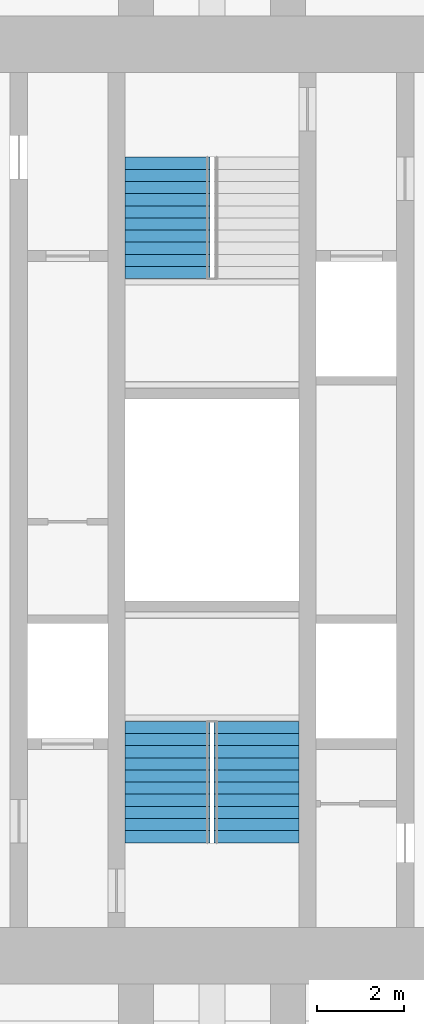
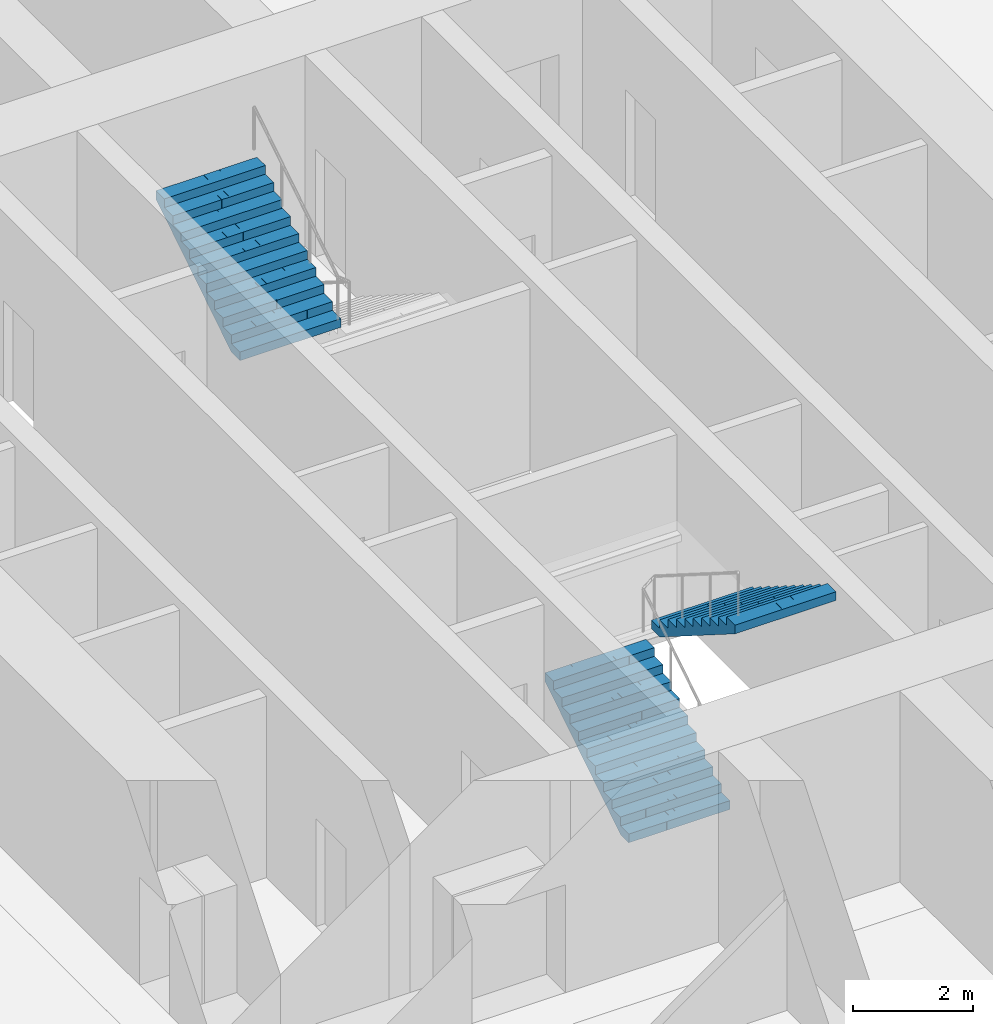
# One storey, part 20 of 22: 3 stair flights, 2 elements without a shape of their own.
"""IFC4 building model written with IfcOpenShell, lengths in metres."""

from ifc_helpers import new_model, si_unit, direction, frame, origin, place, context, subcontext, project, spatial, polyline, outline, extrude, material, type_object, element, aggregate, save


model = new_model("IFC4")

# Units and contexts
model_context = context("Model", 3, precision=1e-05, world=origin(), true_north=direction((0.0, 1.0)))
body_context = subcontext(model_context, "Body", "Model", "MODEL_VIEW")
ifc_project = project(units=[si_unit("LENGTHUNIT", "METRE"), si_unit("AREAUNIT", "SQUARE_METRE"), si_unit("VOLUMEUNIT", "CUBIC_METRE"), si_unit("PLANEANGLEUNIT", "RADIAN"), si_unit("MASSUNIT", "GRAM", prefix="KILO")], contexts=[model_context])

# Site, building, storey
site_placement = place(None, origin())
site = spatial("IfcSite", under=ifc_project, at=site_placement, CompositionType="ELEMENT")
building_placement = place(site_placement, origin())
building = spatial("IfcBuilding", under=site, at=building_placement, Name="Mizan Broadcast Tower", CompositionType="ELEMENT")
storey_placement = place(building_placement, frame((0.0, 0.0, 98.10009765625)))
storey = spatial("IfcBuildingStorey", under=building, at=storey_placement, Name="L21", CompositionType="ELEMENT", Elevation=98.10009765625)

# Stair, stair flights
ifc_material_1 = material(Name="Concrete C40/50", Category="concrete")
stair_type = type_object("IfcStairType", Name="EXIT STAIR", PredefinedType="HALF_TURN_STAIR", material=ifc_material_1)
stair_1_placement = place(storey_placement, origin())
stair_1 = element("IfcStair", 1, at=stair_1_placement, inside=storey, type_object=stair_type, Name="Stair A L21", PredefinedType="HALF_TURN_STAIR")
ifc_material_2 = material(Name="Concrete C40/50", Category="concrete")
stair_flight_type = type_object("IfcStairFlightType", Name="EXIT STAIR FLIGHT", PredefinedType="STRAIGHT", material=ifc_material_2)
stair_flight_1_placement = place(storey_placement, frame((-1.02490234375, -7.89990234375, 0.0), z_axis=(0.0, 0.0, 1.0), x_axis=(0.0, 1.0, 0.0)))
stair_flight_1 = element("IfcStairFlight", 2, at=stair_flight_1_placement, type_object=stair_flight_type, Name="A flight 1", NumberOfRisers=11, NumberOfTreads=10, PredefinedType="STRAIGHT", RiserHeight=0.177272727, TreadLength=0.28, context=body_context, shape_type="SweptSolid", body=[
    extrude(outline(polyline([(0.0, 0.0), (0.0, 0.17724609375), (0.280029296875, 0.17724609375), (0.280029296875, 0.3544921875), (0.56005859375, 0.3544921875), (0.56005859375, 0.53173828125), (0.840087890625, 0.53173828125), (0.840087890625, 0.708984375), (1.1201171875, 0.708984375), (1.1201171875, 0.886474609375), (1.39990234375, 0.886474609375), (1.39990234375, 1.063720703125), (1.679931640625, 1.063720703125), (1.679931640625, 1.240966796875), (1.9599609375, 1.240966796875), (1.9599609375, 1.418212890625), (2.239990234375, 1.418212890625), (2.239990234375, 1.595458984375), (2.52001953125, 1.595458984375), (2.52001953125, 1.772705078125), (2.800048828125, 1.772705078125), (2.800048828125, 1.949951171875), (2.800048828125, 1.59521484375), (0.2802734375, 0.0), (0.0, 0.0)])), frame((0.0, 0.97509765625, 0.0), z_axis=(0.0, -1.0, 0.0), x_axis=(1.0, 0.0, 0.0)), (0.0, 0.0, 1.0), 0.4873046875),
    extrude(outline(polyline([(0.0, 0.0), (0.0, 0.17724609375), (0.280029296875, 0.17724609375), (0.280029296875, 0.3544921875), (0.56005859375, 0.3544921875), (0.56005859375, 0.53173828125), (0.840087890625, 0.53173828125), (0.840087890625, 0.708984375), (1.1201171875, 0.708984375), (1.1201171875, 0.886474609375), (1.39990234375, 0.886474609375), (1.39990234375, 1.063720703125), (1.679931640625, 1.063720703125), (1.679931640625, 1.240966796875), (1.9599609375, 1.240966796875), (1.9599609375, 1.418212890625), (2.239990234375, 1.418212890625), (2.239990234375, 1.595458984375), (2.52001953125, 1.595458984375), (2.52001953125, 1.772705078125), (2.800048828125, 1.772705078125), (2.800048828125, 1.949951171875), (2.800048828125, 1.59521484375), (0.2802734375, 0.0), (0.0, 0.0)])), frame((0.0, 0.4873046875, 0.0), z_axis=(0.0, -1.0, 0.0), x_axis=(1.0, 0.0, 0.0)), (0.0, 0.0, 1.0), 0.2431640625),
    extrude(outline(polyline([(0.0, 0.0), (0.0, 0.17724609375), (0.280029296875, 0.17724609375), (0.280029296875, 0.3544921875), (0.56005859375, 0.3544921875), (0.56005859375, 0.53173828125), (0.840087890625, 0.53173828125), (0.840087890625, 0.708984375), (1.1201171875, 0.708984375), (1.1201171875, 0.886474609375), (1.39990234375, 0.886474609375), (1.39990234375, 1.063720703125), (1.679931640625, 1.063720703125), (1.679931640625, 1.240966796875), (1.9599609375, 1.240966796875), (1.9599609375, 1.418212890625), (2.239990234375, 1.418212890625), (2.239990234375, 1.595458984375), (2.52001953125, 1.595458984375), (2.52001953125, 1.772705078125), (2.800048828125, 1.772705078125), (2.800048828125, 1.949951171875), (2.800048828125, 1.59521484375), (0.2802734375, 0.0), (0.0, 0.0)])), frame((0.0, 0.24365234375, 0.0), z_axis=(0.0, -1.0, 0.0), x_axis=(1.0, 0.0, 0.0)), (0.0, 0.0, 1.0), 0.121337890625),
    extrude(outline(polyline([(0.0, 0.0), (0.0, 0.17724609375), (0.280029296875, 0.17724609375), (0.280029296875, 0.3544921875), (0.56005859375, 0.3544921875), (0.56005859375, 0.53173828125), (0.840087890625, 0.53173828125), (0.840087890625, 0.708984375), (1.1201171875, 0.708984375), (1.1201171875, 0.886474609375), (1.39990234375, 0.886474609375), (1.39990234375, 1.063720703125), (1.679931640625, 1.063720703125), (1.679931640625, 1.240966796875), (1.9599609375, 1.240966796875), (1.9599609375, 1.418212890625), (2.239990234375, 1.418212890625), (2.239990234375, 1.595458984375), (2.52001953125, 1.595458984375), (2.52001953125, 1.772705078125), (2.800048828125, 1.772705078125), (2.800048828125, 1.949951171875), (2.800048828125, 1.59521484375), (0.2802734375, 0.0), (0.0, 0.0)])), frame((0.0, 0.121826171875, 0.0), z_axis=(0.0, -1.0, 0.0), x_axis=(1.0, 0.0, 0.0)), (0.0, 0.0, 1.0), 0.060546875),
    extrude(outline(polyline([(0.0, 0.0), (0.0, 0.17724609375), (0.280029296875, 0.17724609375), (0.280029296875, 0.3544921875), (0.56005859375, 0.3544921875), (0.56005859375, 0.53173828125), (0.840087890625, 0.53173828125), (0.840087890625, 0.708984375), (1.1201171875, 0.708984375), (1.1201171875, 0.886474609375), (1.39990234375, 0.886474609375), (1.39990234375, 1.063720703125), (1.679931640625, 1.063720703125), (1.679931640625, 1.240966796875), (1.9599609375, 1.240966796875), (1.9599609375, 1.418212890625), (2.239990234375, 1.418212890625), (2.239990234375, 1.595458984375), (2.52001953125, 1.595458984375), (2.52001953125, 1.772705078125), (2.800048828125, 1.772705078125), (2.800048828125, 1.949951171875), (2.800048828125, 1.59521484375), (0.2802734375, 0.0), (0.0, 0.0)])), frame((0.0, 0.060791015625, 0.0), z_axis=(0.0, -1.0, 0.0), x_axis=(1.0, 0.0, 0.0)), (0.0, 0.0, 1.0), 0.030029296875),
    extrude(outline(polyline([(0.0, 0.0), (0.0, 0.17724609375), (0.280029296875, 0.17724609375), (0.280029296875, 0.3544921875), (0.56005859375, 0.3544921875), (0.56005859375, 0.53173828125), (0.840087890625, 0.53173828125), (0.840087890625, 0.708984375), (1.1201171875, 0.708984375), (1.1201171875, 0.886474609375), (1.39990234375, 0.886474609375), (1.39990234375, 1.063720703125), (1.679931640625, 1.063720703125), (1.679931640625, 1.240966796875), (1.9599609375, 1.240966796875), (1.9599609375, 1.418212890625), (2.239990234375, 1.418212890625), (2.239990234375, 1.595458984375), (2.52001953125, 1.595458984375), (2.52001953125, 1.772705078125), (2.800048828125, 1.772705078125), (2.800048828125, 1.949951171875), (2.800048828125, 1.59521484375), (0.2802734375, 0.0), (0.0, 0.0)])), frame((0.0, 0.0302734375, 0.0), z_axis=(0.0, -1.0, 0.0), x_axis=(1.0, 0.0, 0.0)), (0.0, 0.0, 1.0), 0.060302734375),
    extrude(outline(polyline([(0.0, 0.0), (0.0, 0.17724609375), (0.280029296875, 0.17724609375), (0.280029296875, 0.3544921875), (0.56005859375, 0.3544921875), (0.56005859375, 0.53173828125), (0.840087890625, 0.53173828125), (0.840087890625, 0.708984375), (1.1201171875, 0.708984375), (1.1201171875, 0.886474609375), (1.39990234375, 0.886474609375), (1.39990234375, 1.063720703125), (1.679931640625, 1.063720703125), (1.679931640625, 1.240966796875), (1.9599609375, 1.240966796875), (1.9599609375, 1.418212890625), (2.239990234375, 1.418212890625), (2.239990234375, 1.595458984375), (2.52001953125, 1.595458984375), (2.52001953125, 1.772705078125), (2.800048828125, 1.772705078125), (2.800048828125, 1.949951171875), (2.800048828125, 1.59521484375), (0.2802734375, 0.0), (0.0, 0.0)])), frame((0.0, -0.030517578125, 0.0), z_axis=(0.0, -1.0, 0.0), x_axis=(1.0, 0.0, 0.0)), (0.0, 0.0, 1.0), 0.030029296875),
    extrude(outline(polyline([(0.0, 0.0), (0.0, 0.17724609375), (0.280029296875, 0.17724609375), (0.280029296875, 0.3544921875), (0.56005859375, 0.3544921875), (0.56005859375, 0.53173828125), (0.840087890625, 0.53173828125), (0.840087890625, 0.708984375), (1.1201171875, 0.708984375), (1.1201171875, 0.886474609375), (1.39990234375, 0.886474609375), (1.39990234375, 1.063720703125), (1.679931640625, 1.063720703125), (1.679931640625, 1.240966796875), (1.9599609375, 1.240966796875), (1.9599609375, 1.418212890625), (2.239990234375, 1.418212890625), (2.239990234375, 1.595458984375), (2.52001953125, 1.595458984375), (2.52001953125, 1.772705078125), (2.800048828125, 1.772705078125), (2.800048828125, 1.949951171875), (2.800048828125, 1.59521484375), (0.2802734375, 0.0), (0.0, 0.0)])), frame((0.0, -0.06103515625, 0.0), z_axis=(0.0, -1.0, 0.0), x_axis=(1.0, 0.0, 0.0)), (0.0, 0.0, 1.0), 0.060546875),
    extrude(outline(polyline([(0.0, 0.0), (0.0, 0.17724609375), (0.280029296875, 0.17724609375), (0.280029296875, 0.3544921875), (0.56005859375, 0.3544921875), (0.56005859375, 0.53173828125), (0.840087890625, 0.53173828125), (0.840087890625, 0.708984375), (1.1201171875, 0.708984375), (1.1201171875, 0.886474609375), (1.39990234375, 0.886474609375), (1.39990234375, 1.063720703125), (1.679931640625, 1.063720703125), (1.679931640625, 1.240966796875), (1.9599609375, 1.240966796875), (1.9599609375, 1.418212890625), (2.239990234375, 1.418212890625), (2.239990234375, 1.595458984375), (2.52001953125, 1.595458984375), (2.52001953125, 1.772705078125), (2.800048828125, 1.772705078125), (2.800048828125, 1.949951171875), (2.800048828125, 1.59521484375), (0.2802734375, 0.0), (0.0, 0.0)])), frame((0.0, -0.1220703125, 0.0), z_axis=(0.0, -1.0, 0.0), x_axis=(1.0, 0.0, 0.0)), (0.0, 0.0, 1.0), 0.121337890625),
    extrude(outline(polyline([(0.0, 0.0), (0.0, 0.17724609375), (0.280029296875, 0.17724609375), (0.280029296875, 0.3544921875), (0.56005859375, 0.3544921875), (0.56005859375, 0.53173828125), (0.840087890625, 0.53173828125), (0.840087890625, 0.708984375), (1.1201171875, 0.708984375), (1.1201171875, 0.886474609375), (1.39990234375, 0.886474609375), (1.39990234375, 1.063720703125), (1.679931640625, 1.063720703125), (1.679931640625, 1.240966796875), (1.9599609375, 1.240966796875), (1.9599609375, 1.418212890625), (2.239990234375, 1.418212890625), (2.239990234375, 1.595458984375), (2.52001953125, 1.595458984375), (2.52001953125, 1.772705078125), (2.800048828125, 1.772705078125), (2.800048828125, 1.949951171875), (2.800048828125, 1.59521484375), (0.2802734375, 0.0), (0.0, 0.0)])), frame((0.0, -0.243896484375, 0.0), z_axis=(0.0, -1.0, 0.0), x_axis=(1.0, 0.0, 0.0)), (0.0, 0.0, 1.0), 0.2431640625),
    extrude(outline(polyline([(0.0, 0.0), (0.0, 0.17724609375), (0.280029296875, 0.17724609375), (0.280029296875, 0.3544921875), (0.56005859375, 0.3544921875), (0.56005859375, 0.53173828125), (0.840087890625, 0.53173828125), (0.840087890625, 0.708984375), (1.1201171875, 0.708984375), (1.1201171875, 0.886474609375), (1.39990234375, 0.886474609375), (1.39990234375, 1.063720703125), (1.679931640625, 1.063720703125), (1.679931640625, 1.240966796875), (1.9599609375, 1.240966796875), (1.9599609375, 1.418212890625), (2.239990234375, 1.418212890625), (2.239990234375, 1.595458984375), (2.52001953125, 1.595458984375), (2.52001953125, 1.772705078125), (2.800048828125, 1.772705078125), (2.800048828125, 1.949951171875), (2.800048828125, 1.59521484375), (0.2802734375, 0.0), (0.0, 0.0)])), frame((0.0, -0.487548828125, 0.0), z_axis=(0.0, -1.0, 0.0), x_axis=(1.0, 0.0, 0.0)), (0.0, 0.0, 1.0), 0.4873046875),
])
stair_flight_2_placement = place(storey_placement, frame((1.02490234375, -5.10009765625, 1.949951171875), z_axis=(0.0, 0.0, 1.0), x_axis=(0.0, -1.0, 0.0)))
stair_flight_2 = element("IfcStairFlight", 3, at=stair_flight_2_placement, type_object=stair_flight_type, Name="A flight 2", NumberOfRisers=11, NumberOfTreads=10, PredefinedType="STRAIGHT", RiserHeight=0.177272727, TreadLength=0.28, context=body_context, shape_type="SweptSolid", body=[
    extrude(outline(polyline([(0.0, 0.0), (0.0, 0.17724609375), (0.280029296875, 0.17724609375), (0.280029296875, 0.3544921875), (0.56005859375, 0.3544921875), (0.56005859375, 0.53173828125), (0.840087890625, 0.53173828125), (0.840087890625, 0.708984375), (1.1201171875, 0.708984375), (1.1201171875, 0.886474609375), (1.39990234375, 0.886474609375), (1.39990234375, 1.063720703125), (1.679931640625, 1.063720703125), (1.679931640625, 1.240966796875), (1.9599609375, 1.240966796875), (1.9599609375, 1.418212890625), (2.239990234375, 1.418212890625), (2.239990234375, 1.595458984375), (2.52001953125, 1.595458984375), (2.52001953125, 1.772705078125), (2.800048828125, 1.772705078125), (2.800048828125, 1.949951171875), (2.800048828125, 1.59521484375), (0.2802734375, 0.0), (0.0, 0.0)])), frame((0.0, 0.97509765625, 0.0), z_axis=(0.0, -1.0, 0.0), x_axis=(1.0, 0.0, 0.0)), (0.0, 0.0, 1.0), 0.4873046875),
    extrude(outline(polyline([(0.0, 0.0), (0.0, 0.17724609375), (0.280029296875, 0.17724609375), (0.280029296875, 0.3544921875), (0.56005859375, 0.3544921875), (0.56005859375, 0.53173828125), (0.840087890625, 0.53173828125), (0.840087890625, 0.708984375), (1.1201171875, 0.708984375), (1.1201171875, 0.886474609375), (1.39990234375, 0.886474609375), (1.39990234375, 1.063720703125), (1.679931640625, 1.063720703125), (1.679931640625, 1.240966796875), (1.9599609375, 1.240966796875), (1.9599609375, 1.418212890625), (2.239990234375, 1.418212890625), (2.239990234375, 1.595458984375), (2.52001953125, 1.595458984375), (2.52001953125, 1.772705078125), (2.800048828125, 1.772705078125), (2.800048828125, 1.949951171875), (2.800048828125, 1.59521484375), (0.2802734375, 0.0), (0.0, 0.0)])), frame((0.0, 0.4873046875, 0.0), z_axis=(0.0, -1.0, 0.0), x_axis=(1.0, 0.0, 0.0)), (0.0, 0.0, 1.0), 0.2431640625),
    extrude(outline(polyline([(0.0, 0.0), (0.0, 0.17724609375), (0.280029296875, 0.17724609375), (0.280029296875, 0.3544921875), (0.56005859375, 0.3544921875), (0.56005859375, 0.53173828125), (0.840087890625, 0.53173828125), (0.840087890625, 0.708984375), (1.1201171875, 0.708984375), (1.1201171875, 0.886474609375), (1.39990234375, 0.886474609375), (1.39990234375, 1.063720703125), (1.679931640625, 1.063720703125), (1.679931640625, 1.240966796875), (1.9599609375, 1.240966796875), (1.9599609375, 1.418212890625), (2.239990234375, 1.418212890625), (2.239990234375, 1.595458984375), (2.52001953125, 1.595458984375), (2.52001953125, 1.772705078125), (2.800048828125, 1.772705078125), (2.800048828125, 1.949951171875), (2.800048828125, 1.59521484375), (0.2802734375, 0.0), (0.0, 0.0)])), frame((0.0, 0.24365234375, 0.0), z_axis=(0.0, -1.0, 0.0), x_axis=(1.0, 0.0, 0.0)), (0.0, 0.0, 1.0), 0.121337890625),
    extrude(outline(polyline([(0.0, 0.0), (0.0, 0.17724609375), (0.280029296875, 0.17724609375), (0.280029296875, 0.3544921875), (0.56005859375, 0.3544921875), (0.56005859375, 0.53173828125), (0.840087890625, 0.53173828125), (0.840087890625, 0.708984375), (1.1201171875, 0.708984375), (1.1201171875, 0.886474609375), (1.39990234375, 0.886474609375), (1.39990234375, 1.063720703125), (1.679931640625, 1.063720703125), (1.679931640625, 1.240966796875), (1.9599609375, 1.240966796875), (1.9599609375, 1.418212890625), (2.239990234375, 1.418212890625), (2.239990234375, 1.595458984375), (2.52001953125, 1.595458984375), (2.52001953125, 1.772705078125), (2.800048828125, 1.772705078125), (2.800048828125, 1.949951171875), (2.800048828125, 1.59521484375), (0.2802734375, 0.0), (0.0, 0.0)])), frame((0.0, 0.121826171875, 0.0), z_axis=(0.0, -1.0, 0.0), x_axis=(1.0, 0.0, 0.0)), (0.0, 0.0, 1.0), 0.060546875),
    extrude(outline(polyline([(0.0, 0.0), (0.0, 0.17724609375), (0.280029296875, 0.17724609375), (0.280029296875, 0.3544921875), (0.56005859375, 0.3544921875), (0.56005859375, 0.53173828125), (0.840087890625, 0.53173828125), (0.840087890625, 0.708984375), (1.1201171875, 0.708984375), (1.1201171875, 0.886474609375), (1.39990234375, 0.886474609375), (1.39990234375, 1.063720703125), (1.679931640625, 1.063720703125), (1.679931640625, 1.240966796875), (1.9599609375, 1.240966796875), (1.9599609375, 1.418212890625), (2.239990234375, 1.418212890625), (2.239990234375, 1.595458984375), (2.52001953125, 1.595458984375), (2.52001953125, 1.772705078125), (2.800048828125, 1.772705078125), (2.800048828125, 1.949951171875), (2.800048828125, 1.59521484375), (0.2802734375, 0.0), (0.0, 0.0)])), frame((0.0, 0.060791015625, 0.0), z_axis=(0.0, -1.0, 0.0), x_axis=(1.0, 0.0, 0.0)), (0.0, 0.0, 1.0), 0.030029296875),
    extrude(outline(polyline([(0.0, 0.0), (0.0, 0.17724609375), (0.280029296875, 0.17724609375), (0.280029296875, 0.3544921875), (0.56005859375, 0.3544921875), (0.56005859375, 0.53173828125), (0.840087890625, 0.53173828125), (0.840087890625, 0.708984375), (1.1201171875, 0.708984375), (1.1201171875, 0.886474609375), (1.39990234375, 0.886474609375), (1.39990234375, 1.063720703125), (1.679931640625, 1.063720703125), (1.679931640625, 1.240966796875), (1.9599609375, 1.240966796875), (1.9599609375, 1.418212890625), (2.239990234375, 1.418212890625), (2.239990234375, 1.595458984375), (2.52001953125, 1.595458984375), (2.52001953125, 1.772705078125), (2.800048828125, 1.772705078125), (2.800048828125, 1.949951171875), (2.800048828125, 1.59521484375), (0.2802734375, 0.0), (0.0, 0.0)])), frame((0.0, 0.0302734375, 0.0), z_axis=(0.0, -1.0, 0.0), x_axis=(1.0, 0.0, 0.0)), (0.0, 0.0, 1.0), 0.060302734375),
    extrude(outline(polyline([(0.0, 0.0), (0.0, 0.17724609375), (0.280029296875, 0.17724609375), (0.280029296875, 0.3544921875), (0.56005859375, 0.3544921875), (0.56005859375, 0.53173828125), (0.840087890625, 0.53173828125), (0.840087890625, 0.708984375), (1.1201171875, 0.708984375), (1.1201171875, 0.886474609375), (1.39990234375, 0.886474609375), (1.39990234375, 1.063720703125), (1.679931640625, 1.063720703125), (1.679931640625, 1.240966796875), (1.9599609375, 1.240966796875), (1.9599609375, 1.418212890625), (2.239990234375, 1.418212890625), (2.239990234375, 1.595458984375), (2.52001953125, 1.595458984375), (2.52001953125, 1.772705078125), (2.800048828125, 1.772705078125), (2.800048828125, 1.949951171875), (2.800048828125, 1.59521484375), (0.2802734375, 0.0), (0.0, 0.0)])), frame((0.0, -0.030517578125, 0.0), z_axis=(0.0, -1.0, 0.0), x_axis=(1.0, 0.0, 0.0)), (0.0, 0.0, 1.0), 0.030029296875),
    extrude(outline(polyline([(0.0, 0.0), (0.0, 0.17724609375), (0.280029296875, 0.17724609375), (0.280029296875, 0.3544921875), (0.56005859375, 0.3544921875), (0.56005859375, 0.53173828125), (0.840087890625, 0.53173828125), (0.840087890625, 0.708984375), (1.1201171875, 0.708984375), (1.1201171875, 0.886474609375), (1.39990234375, 0.886474609375), (1.39990234375, 1.063720703125), (1.679931640625, 1.063720703125), (1.679931640625, 1.240966796875), (1.9599609375, 1.240966796875), (1.9599609375, 1.418212890625), (2.239990234375, 1.418212890625), (2.239990234375, 1.595458984375), (2.52001953125, 1.595458984375), (2.52001953125, 1.772705078125), (2.800048828125, 1.772705078125), (2.800048828125, 1.949951171875), (2.800048828125, 1.59521484375), (0.2802734375, 0.0), (0.0, 0.0)])), frame((0.0, -0.06103515625, 0.0), z_axis=(0.0, -1.0, 0.0), x_axis=(1.0, 0.0, 0.0)), (0.0, 0.0, 1.0), 0.060546875),
    extrude(outline(polyline([(0.0, 0.0), (0.0, 0.17724609375), (0.280029296875, 0.17724609375), (0.280029296875, 0.3544921875), (0.56005859375, 0.3544921875), (0.56005859375, 0.53173828125), (0.840087890625, 0.53173828125), (0.840087890625, 0.708984375), (1.1201171875, 0.708984375), (1.1201171875, 0.886474609375), (1.39990234375, 0.886474609375), (1.39990234375, 1.063720703125), (1.679931640625, 1.063720703125), (1.679931640625, 1.240966796875), (1.9599609375, 1.240966796875), (1.9599609375, 1.418212890625), (2.239990234375, 1.418212890625), (2.239990234375, 1.595458984375), (2.52001953125, 1.595458984375), (2.52001953125, 1.772705078125), (2.800048828125, 1.772705078125), (2.800048828125, 1.949951171875), (2.800048828125, 1.59521484375), (0.2802734375, 0.0), (0.0, 0.0)])), frame((0.0, -0.1220703125, 0.0), z_axis=(0.0, -1.0, 0.0), x_axis=(1.0, 0.0, 0.0)), (0.0, 0.0, 1.0), 0.121337890625),
    extrude(outline(polyline([(0.0, 0.0), (0.0, 0.17724609375), (0.280029296875, 0.17724609375), (0.280029296875, 0.3544921875), (0.56005859375, 0.3544921875), (0.56005859375, 0.53173828125), (0.840087890625, 0.53173828125), (0.840087890625, 0.708984375), (1.1201171875, 0.708984375), (1.1201171875, 0.886474609375), (1.39990234375, 0.886474609375), (1.39990234375, 1.063720703125), (1.679931640625, 1.063720703125), (1.679931640625, 1.240966796875), (1.9599609375, 1.240966796875), (1.9599609375, 1.418212890625), (2.239990234375, 1.418212890625), (2.239990234375, 1.595458984375), (2.52001953125, 1.595458984375), (2.52001953125, 1.772705078125), (2.800048828125, 1.772705078125), (2.800048828125, 1.949951171875), (2.800048828125, 1.59521484375), (0.2802734375, 0.0), (0.0, 0.0)])), frame((0.0, -0.243896484375, 0.0), z_axis=(0.0, -1.0, 0.0), x_axis=(1.0, 0.0, 0.0)), (0.0, 0.0, 1.0), 0.2431640625),
    extrude(outline(polyline([(0.0, 0.0), (0.0, 0.17724609375), (0.280029296875, 0.17724609375), (0.280029296875, 0.3544921875), (0.56005859375, 0.3544921875), (0.56005859375, 0.53173828125), (0.840087890625, 0.53173828125), (0.840087890625, 0.708984375), (1.1201171875, 0.708984375), (1.1201171875, 0.886474609375), (1.39990234375, 0.886474609375), (1.39990234375, 1.063720703125), (1.679931640625, 1.063720703125), (1.679931640625, 1.240966796875), (1.9599609375, 1.240966796875), (1.9599609375, 1.418212890625), (2.239990234375, 1.418212890625), (2.239990234375, 1.595458984375), (2.52001953125, 1.595458984375), (2.52001953125, 1.772705078125), (2.800048828125, 1.772705078125), (2.800048828125, 1.949951171875), (2.800048828125, 1.59521484375), (0.2802734375, 0.0), (0.0, 0.0)])), frame((0.0, -0.487548828125, 0.0), z_axis=(0.0, -1.0, 0.0), x_axis=(1.0, 0.0, 0.0)), (0.0, 0.0, 1.0), 0.4873046875),
])
aggregate(stair_1, [stair_flight_1, stair_flight_2])

# Stair, stair flight
stair_2_placement = place(storey_placement, origin())
stair_2 = element("IfcStair", 4, at=stair_2_placement, inside=storey, type_object=stair_type, Name="Stair B L21", PredefinedType="HALF_TURN_STAIR")
stair_flight_3_placement = place(storey_placement, frame((-1.02490234375, 5.10009765625, 1.949951171875), z_axis=(0.0, 0.0, 1.0), x_axis=(0.0, 1.0, 0.0)))
stair_flight_3 = element("IfcStairFlight", 5, at=stair_flight_3_placement, type_object=stair_flight_type, Name="B flight 2", NumberOfRisers=11, NumberOfTreads=10, PredefinedType="STRAIGHT", RiserHeight=0.177272727, TreadLength=0.28, context=body_context, shape_type="SweptSolid", body=[
    extrude(outline(polyline([(0.0, 0.0), (0.0, 0.17724609375), (0.280029296875, 0.17724609375), (0.280029296875, 0.3544921875), (0.56005859375, 0.3544921875), (0.56005859375, 0.53173828125), (0.840087890625, 0.53173828125), (0.840087890625, 0.708984375), (1.1201171875, 0.708984375), (1.1201171875, 0.886474609375), (1.39990234375, 0.886474609375), (1.39990234375, 1.063720703125), (1.679931640625, 1.063720703125), (1.679931640625, 1.240966796875), (1.9599609375, 1.240966796875), (1.9599609375, 1.418212890625), (2.239990234375, 1.418212890625), (2.239990234375, 1.595458984375), (2.52001953125, 1.595458984375), (2.52001953125, 1.772705078125), (2.800048828125, 1.772705078125), (2.800048828125, 1.949951171875), (2.800048828125, 1.59521484375), (0.2802734375, 0.0), (0.0, 0.0)])), frame((0.0, 0.97509765625, 0.0), z_axis=(0.0, -1.0, 0.0), x_axis=(1.0, 0.0, 0.0)), (0.0, 0.0, 1.0), 0.4873046875),
    extrude(outline(polyline([(0.0, 0.0), (0.0, 0.17724609375), (0.280029296875, 0.17724609375), (0.280029296875, 0.3544921875), (0.56005859375, 0.3544921875), (0.56005859375, 0.53173828125), (0.840087890625, 0.53173828125), (0.840087890625, 0.708984375), (1.1201171875, 0.708984375), (1.1201171875, 0.886474609375), (1.39990234375, 0.886474609375), (1.39990234375, 1.063720703125), (1.679931640625, 1.063720703125), (1.679931640625, 1.240966796875), (1.9599609375, 1.240966796875), (1.9599609375, 1.418212890625), (2.239990234375, 1.418212890625), (2.239990234375, 1.595458984375), (2.52001953125, 1.595458984375), (2.52001953125, 1.772705078125), (2.800048828125, 1.772705078125), (2.800048828125, 1.949951171875), (2.800048828125, 1.59521484375), (0.2802734375, 0.0), (0.0, 0.0)])), frame((0.0, 0.4873046875, 0.0), z_axis=(0.0, -1.0, 0.0), x_axis=(1.0, 0.0, 0.0)), (0.0, 0.0, 1.0), 0.2431640625),
    extrude(outline(polyline([(0.0, 0.0), (0.0, 0.17724609375), (0.280029296875, 0.17724609375), (0.280029296875, 0.3544921875), (0.56005859375, 0.3544921875), (0.56005859375, 0.53173828125), (0.840087890625, 0.53173828125), (0.840087890625, 0.708984375), (1.1201171875, 0.708984375), (1.1201171875, 0.886474609375), (1.39990234375, 0.886474609375), (1.39990234375, 1.063720703125), (1.679931640625, 1.063720703125), (1.679931640625, 1.240966796875), (1.9599609375, 1.240966796875), (1.9599609375, 1.418212890625), (2.239990234375, 1.418212890625), (2.239990234375, 1.595458984375), (2.52001953125, 1.595458984375), (2.52001953125, 1.772705078125), (2.800048828125, 1.772705078125), (2.800048828125, 1.949951171875), (2.800048828125, 1.59521484375), (0.2802734375, 0.0), (0.0, 0.0)])), frame((0.0, 0.24365234375, 0.0), z_axis=(0.0, -1.0, 0.0), x_axis=(1.0, 0.0, 0.0)), (0.0, 0.0, 1.0), 0.121337890625),
    extrude(outline(polyline([(0.0, 0.0), (0.0, 0.17724609375), (0.280029296875, 0.17724609375), (0.280029296875, 0.3544921875), (0.56005859375, 0.3544921875), (0.56005859375, 0.53173828125), (0.840087890625, 0.53173828125), (0.840087890625, 0.708984375), (1.1201171875, 0.708984375), (1.1201171875, 0.886474609375), (1.39990234375, 0.886474609375), (1.39990234375, 1.063720703125), (1.679931640625, 1.063720703125), (1.679931640625, 1.240966796875), (1.9599609375, 1.240966796875), (1.9599609375, 1.418212890625), (2.239990234375, 1.418212890625), (2.239990234375, 1.595458984375), (2.52001953125, 1.595458984375), (2.52001953125, 1.772705078125), (2.800048828125, 1.772705078125), (2.800048828125, 1.949951171875), (2.800048828125, 1.59521484375), (0.2802734375, 0.0), (0.0, 0.0)])), frame((0.0, 0.121826171875, 0.0), z_axis=(0.0, -1.0, 0.0), x_axis=(1.0, 0.0, 0.0)), (0.0, 0.0, 1.0), 0.060546875),
    extrude(outline(polyline([(0.0, 0.0), (0.0, 0.17724609375), (0.280029296875, 0.17724609375), (0.280029296875, 0.3544921875), (0.56005859375, 0.3544921875), (0.56005859375, 0.53173828125), (0.840087890625, 0.53173828125), (0.840087890625, 0.708984375), (1.1201171875, 0.708984375), (1.1201171875, 0.886474609375), (1.39990234375, 0.886474609375), (1.39990234375, 1.063720703125), (1.679931640625, 1.063720703125), (1.679931640625, 1.240966796875), (1.9599609375, 1.240966796875), (1.9599609375, 1.418212890625), (2.239990234375, 1.418212890625), (2.239990234375, 1.595458984375), (2.52001953125, 1.595458984375), (2.52001953125, 1.772705078125), (2.800048828125, 1.772705078125), (2.800048828125, 1.949951171875), (2.800048828125, 1.59521484375), (0.2802734375, 0.0), (0.0, 0.0)])), frame((0.0, 0.060791015625, 0.0), z_axis=(0.0, -1.0, 0.0), x_axis=(1.0, 0.0, 0.0)), (0.0, 0.0, 1.0), 0.030029296875),
    extrude(outline(polyline([(0.0, 0.0), (0.0, 0.17724609375), (0.280029296875, 0.17724609375), (0.280029296875, 0.3544921875), (0.56005859375, 0.3544921875), (0.56005859375, 0.53173828125), (0.840087890625, 0.53173828125), (0.840087890625, 0.708984375), (1.1201171875, 0.708984375), (1.1201171875, 0.886474609375), (1.39990234375, 0.886474609375), (1.39990234375, 1.063720703125), (1.679931640625, 1.063720703125), (1.679931640625, 1.240966796875), (1.9599609375, 1.240966796875), (1.9599609375, 1.418212890625), (2.239990234375, 1.418212890625), (2.239990234375, 1.595458984375), (2.52001953125, 1.595458984375), (2.52001953125, 1.772705078125), (2.800048828125, 1.772705078125), (2.800048828125, 1.949951171875), (2.800048828125, 1.59521484375), (0.2802734375, 0.0), (0.0, 0.0)])), frame((0.0, 0.0302734375, 0.0), z_axis=(0.0, -1.0, 0.0), x_axis=(1.0, 0.0, 0.0)), (0.0, 0.0, 1.0), 0.060302734375),
    extrude(outline(polyline([(0.0, 0.0), (0.0, 0.17724609375), (0.280029296875, 0.17724609375), (0.280029296875, 0.3544921875), (0.56005859375, 0.3544921875), (0.56005859375, 0.53173828125), (0.840087890625, 0.53173828125), (0.840087890625, 0.708984375), (1.1201171875, 0.708984375), (1.1201171875, 0.886474609375), (1.39990234375, 0.886474609375), (1.39990234375, 1.063720703125), (1.679931640625, 1.063720703125), (1.679931640625, 1.240966796875), (1.9599609375, 1.240966796875), (1.9599609375, 1.418212890625), (2.239990234375, 1.418212890625), (2.239990234375, 1.595458984375), (2.52001953125, 1.595458984375), (2.52001953125, 1.772705078125), (2.800048828125, 1.772705078125), (2.800048828125, 1.949951171875), (2.800048828125, 1.59521484375), (0.2802734375, 0.0), (0.0, 0.0)])), frame((0.0, -0.030517578125, 0.0), z_axis=(0.0, -1.0, 0.0), x_axis=(1.0, 0.0, 0.0)), (0.0, 0.0, 1.0), 0.030029296875),
    extrude(outline(polyline([(0.0, 0.0), (0.0, 0.17724609375), (0.280029296875, 0.17724609375), (0.280029296875, 0.3544921875), (0.56005859375, 0.3544921875), (0.56005859375, 0.53173828125), (0.840087890625, 0.53173828125), (0.840087890625, 0.708984375), (1.1201171875, 0.708984375), (1.1201171875, 0.886474609375), (1.39990234375, 0.886474609375), (1.39990234375, 1.063720703125), (1.679931640625, 1.063720703125), (1.679931640625, 1.240966796875), (1.9599609375, 1.240966796875), (1.9599609375, 1.418212890625), (2.239990234375, 1.418212890625), (2.239990234375, 1.595458984375), (2.52001953125, 1.595458984375), (2.52001953125, 1.772705078125), (2.800048828125, 1.772705078125), (2.800048828125, 1.949951171875), (2.800048828125, 1.59521484375), (0.2802734375, 0.0), (0.0, 0.0)])), frame((0.0, -0.06103515625, 0.0), z_axis=(0.0, -1.0, 0.0), x_axis=(1.0, 0.0, 0.0)), (0.0, 0.0, 1.0), 0.060546875),
    extrude(outline(polyline([(0.0, 0.0), (0.0, 0.17724609375), (0.280029296875, 0.17724609375), (0.280029296875, 0.3544921875), (0.56005859375, 0.3544921875), (0.56005859375, 0.53173828125), (0.840087890625, 0.53173828125), (0.840087890625, 0.708984375), (1.1201171875, 0.708984375), (1.1201171875, 0.886474609375), (1.39990234375, 0.886474609375), (1.39990234375, 1.063720703125), (1.679931640625, 1.063720703125), (1.679931640625, 1.240966796875), (1.9599609375, 1.240966796875), (1.9599609375, 1.418212890625), (2.239990234375, 1.418212890625), (2.239990234375, 1.595458984375), (2.52001953125, 1.595458984375), (2.52001953125, 1.772705078125), (2.800048828125, 1.772705078125), (2.800048828125, 1.949951171875), (2.800048828125, 1.59521484375), (0.2802734375, 0.0), (0.0, 0.0)])), frame((0.0, -0.1220703125, 0.0), z_axis=(0.0, -1.0, 0.0), x_axis=(1.0, 0.0, 0.0)), (0.0, 0.0, 1.0), 0.121337890625),
    extrude(outline(polyline([(0.0, 0.0), (0.0, 0.17724609375), (0.280029296875, 0.17724609375), (0.280029296875, 0.3544921875), (0.56005859375, 0.3544921875), (0.56005859375, 0.53173828125), (0.840087890625, 0.53173828125), (0.840087890625, 0.708984375), (1.1201171875, 0.708984375), (1.1201171875, 0.886474609375), (1.39990234375, 0.886474609375), (1.39990234375, 1.063720703125), (1.679931640625, 1.063720703125), (1.679931640625, 1.240966796875), (1.9599609375, 1.240966796875), (1.9599609375, 1.418212890625), (2.239990234375, 1.418212890625), (2.239990234375, 1.595458984375), (2.52001953125, 1.595458984375), (2.52001953125, 1.772705078125), (2.800048828125, 1.772705078125), (2.800048828125, 1.949951171875), (2.800048828125, 1.59521484375), (0.2802734375, 0.0), (0.0, 0.0)])), frame((0.0, -0.243896484375, 0.0), z_axis=(0.0, -1.0, 0.0), x_axis=(1.0, 0.0, 0.0)), (0.0, 0.0, 1.0), 0.2431640625),
    extrude(outline(polyline([(0.0, 0.0), (0.0, 0.17724609375), (0.280029296875, 0.17724609375), (0.280029296875, 0.3544921875), (0.56005859375, 0.3544921875), (0.56005859375, 0.53173828125), (0.840087890625, 0.53173828125), (0.840087890625, 0.708984375), (1.1201171875, 0.708984375), (1.1201171875, 0.886474609375), (1.39990234375, 0.886474609375), (1.39990234375, 1.063720703125), (1.679931640625, 1.063720703125), (1.679931640625, 1.240966796875), (1.9599609375, 1.240966796875), (1.9599609375, 1.418212890625), (2.239990234375, 1.418212890625), (2.239990234375, 1.595458984375), (2.52001953125, 1.595458984375), (2.52001953125, 1.772705078125), (2.800048828125, 1.772705078125), (2.800048828125, 1.949951171875), (2.800048828125, 1.59521484375), (0.2802734375, 0.0), (0.0, 0.0)])), frame((0.0, -0.487548828125, 0.0), z_axis=(0.0, -1.0, 0.0), x_axis=(1.0, 0.0, 0.0)), (0.0, 0.0, 1.0), 0.4873046875),
])
aggregate(stair_2, [stair_flight_3])

save(model, "model.ifc")
